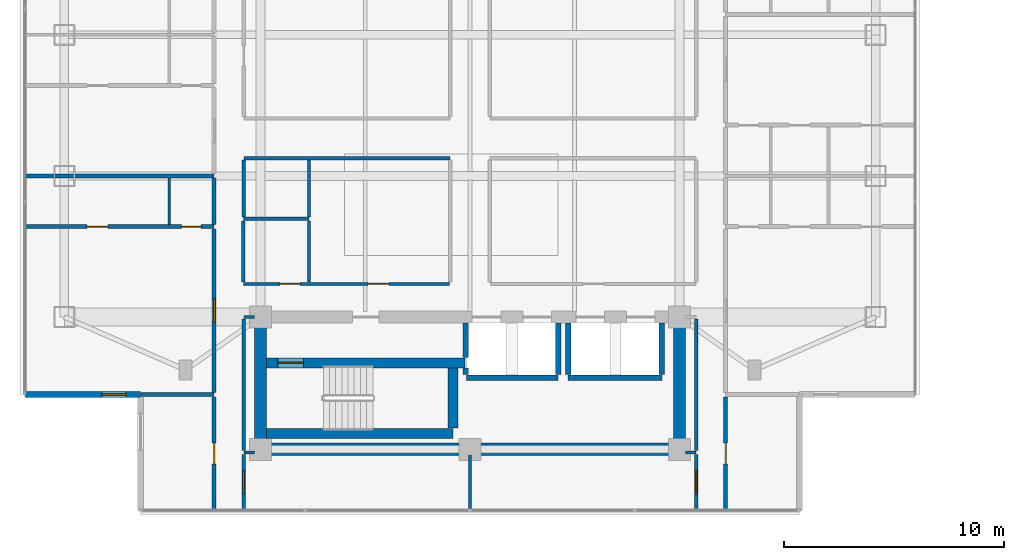
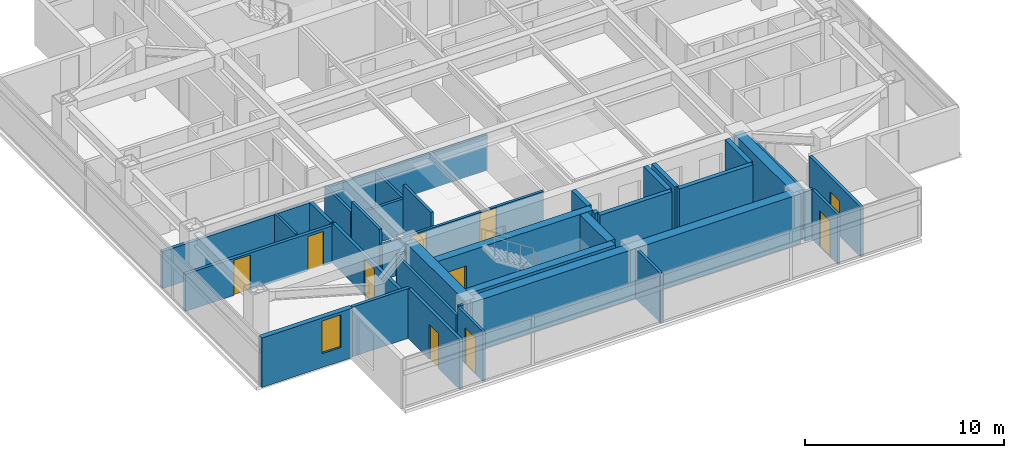
# One storey, part 12 of 24: 37 walls, 10 doors, 1 window, 11 openings.
"""IFC4 building model written with IfcOpenShell, lengths in metres."""

from ifc_helpers import new_model, si_unit, direction, frame, frame_2d, origin, place, context, subcontext, project, spatial, rectangle, extrude, material, layer, layer_set, type_object, element, fill, save


model = new_model("IFC4")

# Units and contexts
model_context = context("Model", 3, precision=1e-05, world=origin(), true_north=direction((0.0, 1.0)))
body_context = subcontext(model_context, "Body", "Model", "MODEL_VIEW")
ifc_project = project(units=[si_unit("LENGTHUNIT", "METRE"), si_unit("AREAUNIT", "SQUARE_METRE"), si_unit("VOLUMEUNIT", "CUBIC_METRE"), si_unit("PLANEANGLEUNIT", "RADIAN"), si_unit("MASSUNIT", "GRAM", prefix="KILO")], contexts=[model_context])

# Site, building, storey
site_placement = place(None, origin())
site = spatial("IfcSite", under=ifc_project, at=site_placement, CompositionType="ELEMENT")
building_placement = place(site_placement, origin())
building = spatial("IfcBuilding", under=site, at=building_placement, Name="Mirazonda Arch Towers", CompositionType="ELEMENT")
storey_placement = place(building_placement, frame((0.0, 0.0, 160.89990234375)))
storey = spatial("IfcBuildingStorey", under=building, at=storey_placement, Name="L45", CompositionType="ELEMENT", Elevation=160.89990234375)

# Wall
ifc_material_1 = material(Name="Concrete C50/60", Category="concrete")
ifc_layer_1 = layer(ifc_material_1, 0.449951171875, Name="WALL-CORE-450")
ifc_layer_set_1 = layer_set([ifc_layer_1], Name="Concrete C50/60")
wall_type_1 = type_object("IfcWallType", Name="WALL-CORE-450", PredefinedType="SHEAR", material=ifc_layer_set_1)
wall_1_placement = place(storey_placement, frame((11.27001953125, 13.1201171875, 0.0), z_axis=(0.0, 0.0, 1.0), x_axis=(1.0, 0.0, 0.0)))
element("IfcWall", 1, at=wall_1_placement, inside=storey, type_object=wall_type_1, Name="L45 Stair Core Shear Wall 003", PredefinedType="SHEAR", context=body_context, shape_type="SweptSolid", body=[
    extrude(rectangle(XDim=8.4599609375, YDim=0.449951171875, at=frame_2d((4.22998046875, 0.0))), origin(), (0.0, 0.0, 1.0), 3.050048828125),
])

# Wall, opening, door
wall_2_placement = place(storey_placement, frame((11.27001953125, 16.320068359375, 0.0), z_axis=(0.0, 0.0, 1.0), x_axis=(1.0, 0.0, 0.0)))
wall_2 = element("IfcWall", 2, at=wall_2_placement, inside=storey, type_object=wall_type_1, Name="L45 Stair Core Shear Wall 008", PredefinedType="SHEAR", context=body_context, shape_type="SweptSolid", body=[
    extrude(rectangle(XDim=9.010009765625, YDim=0.449951171875, at=frame_2d((4.5048828125, 0.0))), origin(), (0.0, 0.0, 1.0), 3.050048828125),
])
opening_1_placement = place(wall_2_placement, frame((0.52001953125, 0.0, 0.0)))
opening_1 = element("IfcOpeningElement", 3, at=opening_1_placement, cuts=wall_2, Name="Opening DR-135", PredefinedType="OPENING", context=body_context, shape_type="SweptSolid", body=[
    extrude(rectangle(XDim=1.14990234375, YDim=2.199951171875, at=frame_2d((0.574951171875, 1.10009765625))), frame((0.0, 0.23486328125, 0.0), z_axis=(0.0, -1.0, 0.0), x_axis=(1.0, 0.0, 0.0)), (0.0, 0.0, 1.0), 0.469970703125),
])
ifc_material_2 = material(Name="Architectural Brushed Steel S355", Category="steel")
door_type_1 = type_object("IfcDoorType", Name="DOOR-STAIR-FD90-1150", OperationType="NOTDEFINED", PredefinedType="DOOR", material=ifc_material_2)
door_1_placement = place(opening_1_placement, origin())
door_1 = element("IfcDoor", 4, at=door_1_placement, inside=storey, type_object=door_type_1, Name="L45 Protected Exit Stair South Door", OperationType="SINGLE_SWING_RIGHT", OverallHeight=2.199951171875, OverallWidth=1.14990234375, PredefinedType="DOOR", context=body_context, shape_type="SweptSolid", body=[
    extrude(rectangle(XDim=1.14990234375, YDim=2.199951171875, at=frame_2d((0.574951171875, 1.10009765625))), frame((0.0, 0.02490234375, 0.0), z_axis=(0.0, -1.0, 0.0), x_axis=(1.0, 0.0, 0.0)), (0.0, 0.0, 1.0), 0.050048828125),
])
fill(opening_1, door_1)

# Walls
wall_3_placement = place(storey_placement, frame((19.72998046875, 13.35498046875, 0.0), z_axis=(0.0, 0.0, 1.0), x_axis=(0.0, 1.0, 0.0)))
element("IfcWall", 5, at=wall_3_placement, inside=storey, type_object=wall_type_1, Name="L45 Stair Core Shear Wall 088", PredefinedType="SHEAR", context=body_context, shape_type="SweptSolid", body=[
    extrude(rectangle(XDim=2.72998046875, YDim=0.449951171875, at=frame_2d((1.364990234375, 0.0))), origin(), (0.0, 0.0, 1.0), 3.050048828125),
])
ifc_layer_2 = layer(ifc_material_1, 0.550048828125, Name="WALL-CORE-550")
ifc_layer_set_2 = layer_set([ifc_layer_2], Name="Concrete C50/60")
wall_type_2 = type_object("IfcWallType", Name="WALL-CORE-550", PredefinedType="SHEAR", material=ifc_layer_set_2)
wall_4_placement = place(storey_placement, frame((11.0, 12.39990234375, 0.0), z_axis=(0.0, 0.0, 1.0), x_axis=(1.0, 0.0, 0.0)))
element("IfcWall", 6, at=wall_4_placement, inside=storey, type_object=wall_type_2, Name="L45 T1S-S Core Shear Wall", PredefinedType="SHEAR", context=body_context, shape_type="SweptSolid", body=[
    extrude(rectangle(XDim=19.0, YDim=0.550048828125, at=frame_2d((9.5, 0.0))), origin(), (0.0, 0.0, 1.0), 3.050048828125),
])
for number, where, z_axis, x_axis, name in (
    (7, (11.0, 12.39990234375, 0.0), (0.0, 0.0, 1.0), (0.0, 1.0, 0.0), "L45 T1S-W Core Shear Wall"),
    (8, (30.0, 12.39990234375, 0.0), (0.0, 0.0, 1.0), (0.0, 1.0, 0.0), "L45 T1S-E Core Shear Wall"),
):
    element("IfcWall", number, at=place(storey_placement, frame(where, z_axis=z_axis, x_axis=x_axis)), inside=storey, type_object=wall_type_2, Name=name, PredefinedType="SHEAR", context=body_context, shape_type="SweptSolid", body=[
        extrude(rectangle(XDim=6.0, YDim=0.550048828125, at=frame_2d((3.0, 0.0))), origin(), (0.0, 0.0, 1.0), 3.050048828125),
    ])

# Wall, opening, window
ifc_material_3 = material(Name="Precast Concrete C40/50", Category="concrete")
ifc_layer_3 = layer(ifc_material_3, 0.280029296875, Name="WALL-EXT-WALL-280")
ifc_layer_set_3 = layer_set([ifc_layer_3], Name="Precast Concrete C40/50")
wall_type_3 = type_object("IfcWallType", Name="WALL-EXT-WALL-280", PredefinedType="SOLIDWALL", material=ifc_layer_set_3)
wall_5_placement = place(storey_placement, frame((0.31005859375, 14.87890625, 0.0), z_axis=(0.0, 0.0, 1.0), x_axis=(1.0, 0.0, 0.0)))
wall_5 = element("IfcWall", 9, at=wall_5_placement, inside=storey, type_object=wall_type_3, Name="L45 T1 Corner Notch Return Wall WL-L45-T1-CSW2", PredefinedType="SOLIDWALL", context=body_context, shape_type="SweptSolid", body=[
    extrude(rectangle(XDim=5.244873046875, YDim=0.280029296875, at=frame_2d((2.62255859375, 0.0))), origin(), (0.0, 0.0, 1.0), 3.030029296875),
])
opening_2_placement = place(wall_5_placement, frame((3.4951171875, 0.0, 0.85009765625)))
opening_2 = element("IfcOpeningElement", 10, at=opening_2_placement, cuts=wall_5, Name="Opening WN-108", PredefinedType="OPENING", context=body_context, shape_type="SweptSolid", body=[
    extrude(rectangle(XDim=1.10009765625, YDim=2.0, at=frame_2d((0.550048828125, 1.0))), frame((0.0, 0.14990234375, 0.0), z_axis=(0.0, -1.0, 0.0), x_axis=(1.0, 0.0, 0.0)), (0.0, 0.0, 1.0), 0.300048828125),
])
ifc_material_4 = material(Name="Insulated Low-E Solar Glass", Category="glass")
window_type = type_object("IfcWindowType", Name="WIN-NOTCH-1100x2000", PartitioningType="SINGLE_PANEL", PredefinedType="WINDOW", material=ifc_material_4)
window_placement = place(opening_2_placement, origin())
window = element("IfcWindow", 11, at=window_placement, inside=storey, type_object=window_type, Name="L45 Punched Facade Window WN-L45-T1-CSW2", OverallHeight=2.0, OverallWidth=1.10009765625, PartitioningType="SINGLE_PANEL", PredefinedType="WINDOW", context=body_context, shape_type="SweptSolid", body=[
    extrude(rectangle(XDim=1.10009765625, YDim=2.0, at=frame_2d((0.550048828125, 1.0))), frame((0.0, 0.030029296875, 0.0), z_axis=(0.0, -1.0, 0.0), x_axis=(1.0, 0.0, 0.0)), (0.0, 0.0, 1.0), 0.06005859375),
])
fill(opening_2, window)

# Walls
ifc_material_5 = material(Name="Fire-Rated Gypsum Stud Partition")
ifc_layer_4 = layer(ifc_material_5, 0.14990234375, Name="WALL-PART-CORR-150")
ifc_layer_set_4 = layer_set([ifc_layer_4], Name="Fire-Rated Gypsum Stud Partition")
wall_type_4 = type_object("IfcWallType", Name="WALL-PART-CORR-150", PredefinedType="PARTITIONING", material=ifc_layer_set_4)
for number, where, z_axis, x_axis, name in (
    (12, (10.239990234375, 12.25, 0.0), (0.0, 0.0, 1.0), (1.0, 0.0, 0.0), "L45 Interior Partition 001"),
    (13, (30.27001953125, 12.25, 0.0), (0.0, 0.0, 1.0), (1.0, 0.0, 0.0), "L45 Interior Partition 002"),
):
    element("IfcWall", number, at=place(storey_placement, frame(where, z_axis=z_axis, x_axis=x_axis)), inside=storey, type_object=wall_type_4, Name=name, PredefinedType="PARTITIONING", context=body_context, shape_type="SweptSolid", body=[
        extrude(rectangle(XDim=0.489990234375, YDim=0.14990234375, at=frame_2d((0.2451171875, 0.0))), origin(), (0.0, 0.0, 1.0), 3.050048828125),
    ])
wall_6_placement = place(storey_placement, frame((10.239990234375, 18.39990234375, 0.0), z_axis=(0.0, 0.0, 1.0), x_axis=(1.0, 0.0, 0.0)))
element("IfcWall", 14, at=wall_6_placement, inside=storey, type_object=wall_type_4, Name="L45 Interior Partition 012", PredefinedType="PARTITIONING", context=body_context, shape_type="SweptSolid", body=[
    extrude(rectangle(XDim=0.489990234375, YDim=0.14990234375, at=frame_2d((0.2451171875, 0.0))), origin(), (0.0, 0.0, 1.0), 2.442138671875),
])

# Wall, openings, doors
wall_7_placement = place(storey_placement, frame((10.219970703125, 19.89990234375, 0.0), z_axis=(0.0, 0.0, 1.0), x_axis=(1.0, 0.0, 0.0)))
wall_7 = element("IfcWall", 15, at=wall_7_placement, inside=storey, type_object=wall_type_4, Name="L45 Interior Partition 015", PredefinedType="PARTITIONING", context=body_context, shape_type="SweptSolid", body=[
    extrude(rectangle(XDim=9.340087890625, YDim=0.14990234375, at=frame_2d((4.669921875, 0.0))), origin(), (0.0, 0.0, 1.0), 2.18603515625),
])
opening_3_placement = place(wall_7_placement, frame((1.659912109375, 0.0, 0.0)))
opening_3 = element("IfcOpeningElement", 16, at=opening_3_placement, cuts=wall_7, Name="Opening DR-120", PredefinedType="OPENING", context=body_context, shape_type="SweptSolid", body=[
    extrude(rectangle(XDim=0.89990234375, YDim=2.10009765625, at=frame_2d((0.449951171875, 1.050048828125))), frame((0.0, 0.0849609375, 0.0), z_axis=(0.0, -1.0, 0.0), x_axis=(1.0, 0.0, 0.0)), (0.0, 0.0, 1.0), 0.169921875),
])
opening_4_placement = place(wall_7_placement, frame((5.6650390625, 0.0, 0.0)))
opening_4 = element("IfcOpeningElement", 17, at=opening_4_placement, cuts=wall_7, Name="Opening DR-104", PredefinedType="OPENING", context=body_context, shape_type="SweptSolid", body=[
    extrude(rectangle(XDim=0.949951171875, YDim=2.14990234375, at=frame_2d((0.47509765625, 1.074951171875))), frame((0.0, 0.0849609375, 0.0), z_axis=(0.0, -1.0, 0.0), x_axis=(1.0, 0.0, 0.0)), (0.0, 0.0, 1.0), 0.169921875),
])
door_type_2 = type_object("IfcDoorType", Name="DOOR-ROOM-950", OperationType="NOTDEFINED", PredefinedType="DOOR", material=ifc_material_2)
door_2_placement = place(opening_4_placement, origin())
door_2 = element("IfcDoor", 18, at=door_2_placement, inside=storey, type_object=door_type_2, Name="L45 L45 West Courtyard Study Door", OperationType="SINGLE_SWING_LEFT", OverallHeight=2.14990234375, OverallWidth=0.949951171875, PredefinedType="DOOR", context=body_context, shape_type="SweptSolid", body=[
    extrude(rectangle(XDim=0.949951171875, YDim=2.14990234375, at=frame_2d((0.47509765625, 1.074951171875))), frame((0.0, 0.02490234375, 0.0), z_axis=(0.0, -1.0, 0.0), x_axis=(1.0, 0.0, 0.0)), (0.0, 0.0, 1.0), 0.050048828125),
])
fill(opening_4, door_2)
door_type_3 = type_object("IfcDoorType", Name="DOOR-WC-900", OperationType="NOTDEFINED", PredefinedType="DOOR", material=ifc_material_2)
door_3_placement = place(opening_3_placement, origin())
door_3 = element("IfcDoor", 19, at=door_3_placement, inside=storey, type_object=door_type_3, Name="L45 Common Accessible WC Door", OperationType="SINGLE_SWING_LEFT", OverallHeight=2.10009765625, OverallWidth=0.89990234375, PredefinedType="DOOR", context=body_context, shape_type="SweptSolid", body=[
    extrude(rectangle(XDim=0.89990234375, YDim=2.10009765625, at=frame_2d((0.449951171875, 1.050048828125))), frame((0.0, 0.02490234375, 0.0), z_axis=(0.0, -1.0, 0.0), x_axis=(1.0, 0.0, 0.0)), (0.0, 0.0, 1.0), 0.050048828125),
])
fill(opening_3, door_3)

# Walls
wall_8_placement = place(storey_placement, frame((10.219970703125, 22.85009765625, 0.0), z_axis=(0.0, 0.0, 1.0), x_axis=(1.0, 0.0, 0.0)))
element("IfcWall", 20, at=wall_8_placement, inside=storey, type_object=wall_type_4, Name="L45 Interior Partition 024", PredefinedType="PARTITIONING", context=body_context, shape_type="SweptSolid", body=[
    extrude(rectangle(XDim=2.97998046875, YDim=0.14990234375, at=frame_2d((1.489990234375, 0.0))), origin(), (0.0, 0.0, 1.0), 2.18603515625),
])
wall_9_placement = place(storey_placement, frame((10.239990234375, 25.60009765625, 0.0), z_axis=(0.0, 0.0, 1.0), x_axis=(1.0, 0.0, 0.0)))
element("IfcWall", 21, at=wall_9_placement, inside=storey, type_object=wall_type_4, Name="L45 Interior Partition 029", PredefinedType="PARTITIONING", context=body_context, shape_type="SweptSolid", body=[
    extrude(rectangle(XDim=9.360107421875, YDim=0.14990234375, at=frame_2d((4.68017578125, 0.0))), origin(), (0.0, 0.0, 1.0), 2.18603515625),
])
wall_10_placement = place(storey_placement, frame((10.219970703125, 19.985107421875, 0.0), z_axis=(0.0, 0.0, 1.0), x_axis=(0.0, 1.0, 0.0)))
element("IfcWall", 22, at=wall_10_placement, inside=storey, type_object=wall_type_4, Name="L45 Interior Partition 075", PredefinedType="PARTITIONING", context=body_context, shape_type="SweptSolid", body=[
    extrude(rectangle(XDim=2.77978515625, YDim=0.14990234375, at=frame_2d((1.389892578125, 0.0))), origin(), (0.0, 0.0, 1.0), 3.050048828125),
])

# Wall, opening, door
wall_11_placement = place(storey_placement, frame((10.239990234375, 9.634033203125, 0.0), z_axis=(0.0, 0.0, 1.0), x_axis=(0.0, 1.0, 0.0)))
wall_11 = element("IfcWall", 23, at=wall_11_placement, inside=storey, type_object=wall_type_4, Name="L45 Interior Partition 076", PredefinedType="PARTITIONING", context=body_context, shape_type="SweptSolid", body=[
    extrude(rectangle(XDim=2.531005859375, YDim=0.14990234375, at=frame_2d((1.265625, 0.0))), origin(), (0.0, 0.0, 1.0), 3.050048828125),
])
opening_5_placement = place(wall_11_placement, frame((0.740478515625, 0.0, 0.0)))
opening_5 = element("IfcOpeningElement", 24, at=opening_5_placement, cuts=wall_11, Name="Opening DR-121", PredefinedType="OPENING", context=body_context, shape_type="SweptSolid", body=[
    extrude(rectangle(XDim=1.050048828125, YDim=2.199951171875, at=frame_2d((0.52490234375, 1.10009765625))), frame((0.0, 0.0849609375, 0.0), z_axis=(0.0, -1.0, 0.0), x_axis=(1.0, 0.0, 0.0)), (0.0, 0.0, 1.0), 0.169921875),
])
door_type_4 = type_object("IfcDoorType", Name="DOOR-SUITE-FD60-1050", OperationType="NOTDEFINED", PredefinedType="DOOR", material=ifc_material_2)
door_4_placement = place(opening_5_placement, origin())
door_4 = element("IfcDoor", 25, at=door_4_placement, inside=storey, type_object=door_type_4, Name="L45 South Panoramic Study West Door", OperationType="SINGLE_SWING_LEFT", OverallHeight=2.199951171875, OverallWidth=1.050048828125, PredefinedType="DOOR", context=body_context, shape_type="SweptSolid", body=[
    extrude(rectangle(XDim=1.050048828125, YDim=2.199951171875, at=frame_2d((0.52490234375, 1.10009765625))), frame((0.0, 0.02490234375, 0.0), z_axis=(0.0, -1.0, 0.0), x_axis=(1.0, 0.0, 0.0)), (0.0, 0.0, 1.0), 0.050048828125),
])
fill(opening_5, door_4)

# Walls
wall_12_placement = place(storey_placement, frame((10.239990234375, 12.3349609375, 0.0), z_axis=(0.0, 0.0, 1.0), x_axis=(0.0, 1.0, 0.0)))
element("IfcWall", 26, at=wall_12_placement, inside=storey, type_object=wall_type_4, Name="L45 Interior Partition 077", PredefinedType="PARTITIONING", context=body_context, shape_type="SweptSolid", body=[
    extrude(rectangle(XDim=5.97998046875, YDim=0.14990234375, at=frame_2d((2.989990234375, 0.0))), origin(), (0.0, 0.0, 1.0), 2.442138671875),
])
wall_13_placement = place(storey_placement, frame((10.239990234375, 22.93505859375, 0.0), z_axis=(0.0, 0.0, 1.0), x_axis=(0.0, 1.0, 0.0)))
element("IfcWall", 27, at=wall_13_placement, inside=storey, type_object=wall_type_4, Name="L45 Interior Partition 078", PredefinedType="PARTITIONING", context=body_context, shape_type="SweptSolid", body=[
    extrude(rectangle(XDim=2.579833984375, YDim=0.14990234375, at=frame_2d((1.2900390625, 0.0))), origin(), (0.0, 0.0, 1.0), 2.34619140625),
])
wall_14_placement = place(storey_placement, frame((13.199951171875, 19.985107421875, 0.0), z_axis=(0.0, 0.0, 1.0), x_axis=(0.0, 1.0, 0.0)))
element("IfcWall", 28, at=wall_14_placement, inside=storey, type_object=wall_type_4, Name="L45 Interior Partition 083", PredefinedType="PARTITIONING", context=body_context, shape_type="SweptSolid", body=[
    extrude(rectangle(XDim=2.77978515625, YDim=0.14990234375, at=frame_2d((1.389892578125, 0.0))), origin(), (0.0, 0.0, 1.0), 3.050048828125),
])
wall_15_placement = place(storey_placement, frame((13.199951171875, 22.93505859375, 0.0), z_axis=(0.0, 0.0, 1.0), x_axis=(0.0, 1.0, 0.0)))
element("IfcWall", 29, at=wall_15_placement, inside=storey, type_object=wall_type_4, Name="L45 Interior Partition 084", PredefinedType="PARTITIONING", context=body_context, shape_type="SweptSolid", body=[
    extrude(rectangle(XDim=2.579833984375, YDim=0.14990234375, at=frame_2d((1.2900390625, 0.0))), origin(), (0.0, 0.0, 1.0), 2.18603515625),
])
wall_16_placement = place(storey_placement, frame((20.5, 9.634033203125, 0.0), z_axis=(0.0, 0.0, 1.0), x_axis=(0.0, 1.0, 0.0)))
element("IfcWall", 30, at=wall_16_placement, inside=storey, type_object=wall_type_4, Name="L45 Interior Partition 093", PredefinedType="PARTITIONING", context=body_context, shape_type="SweptSolid", body=[
    extrude(rectangle(XDim=2.495849609375, YDim=0.14990234375, at=frame_2d((1.248046875, 0.0))), origin(), (0.0, 0.0, 1.0), 3.050048828125),
])

# Wall, opening, door
wall_17_placement = place(storey_placement, frame((30.760009765625, 9.634033203125, 0.0), z_axis=(0.0, 0.0, 1.0), x_axis=(0.0, 1.0, 0.0)))
wall_17 = element("IfcWall", 31, at=wall_17_placement, inside=storey, type_object=wall_type_4, Name="L45 Interior Partition 105", PredefinedType="PARTITIONING", context=body_context, shape_type="SweptSolid", body=[
    extrude(rectangle(XDim=2.531005859375, YDim=0.14990234375, at=frame_2d((1.265625, 0.0))), origin(), (0.0, 0.0, 1.0), 3.050048828125),
])
opening_6_placement = place(wall_17_placement, frame((0.740478515625, 0.0, 0.0)))
opening_6 = element("IfcOpeningElement", 32, at=opening_6_placement, cuts=wall_17, Name="Opening DR-121", PredefinedType="OPENING", context=body_context, shape_type="SweptSolid", body=[
    extrude(rectangle(XDim=1.050048828125, YDim=2.199951171875, at=frame_2d((0.52490234375, 1.10009765625))), frame((0.0, 0.0849609375, 0.0), z_axis=(0.0, -1.0, 0.0), x_axis=(1.0, 0.0, 0.0)), (0.0, 0.0, 1.0), 0.169921875),
])
door_5_placement = place(opening_6_placement, origin())
door_5 = element("IfcDoor", 33, at=door_5_placement, inside=storey, type_object=door_type_4, Name="L45 South Panoramic Study East Door", OperationType="SINGLE_SWING_RIGHT", OverallHeight=2.199951171875, OverallWidth=1.050048828125, PredefinedType="DOOR", context=body_context, shape_type="SweptSolid", body=[
    extrude(rectangle(XDim=1.050048828125, YDim=2.199951171875, at=frame_2d((0.52490234375, 1.10009765625))), frame((0.0, 0.02490234375, 0.0), z_axis=(0.0, -1.0, 0.0), x_axis=(1.0, 0.0, 0.0)), (0.0, 0.0, 1.0), 0.050048828125),
])
fill(opening_6, door_5)

# Walls
wall_18_placement = place(storey_placement, frame((30.760009765625, 12.3349609375, 0.0), z_axis=(0.0, 0.0, 1.0), x_axis=(0.0, 1.0, 0.0)))
element("IfcWall", 34, at=wall_18_placement, inside=storey, type_object=wall_type_4, Name="L45 Interior Partition 106", PredefinedType="PARTITIONING", context=body_context, shape_type="SweptSolid", body=[
    extrude(rectangle(XDim=5.97998046875, YDim=0.14990234375, at=frame_2d((2.989990234375, 0.0))), origin(), (0.0, 0.0, 1.0), 2.442138671875),
])
ifc_material_6 = material(Name="Fire-Rated Gypsum Twin-Stud Assembly")
ifc_layer_5 = layer(ifc_material_6, 0.179931640625, Name="WALL-PART-DEMISE-180")
ifc_layer_set_5 = layer_set([ifc_layer_5], Name="Fire-Rated Gypsum Twin-Stud Assembly")
wall_type_5 = type_object("IfcWallType", Name="WALL-PART-DEMISE-180", PredefinedType="PARTITIONING", material=ifc_layer_set_5)
wall_19_placement = place(storey_placement, frame((5.574951171875, 14.87890625, 0.0), z_axis=(0.0, 0.0, 1.0), x_axis=(1.0, 0.0, 0.0)))
element("IfcWall", 35, at=wall_19_placement, inside=storey, type_object=wall_type_5, Name="L45 Interior Partition 004", PredefinedType="PARTITIONING", context=body_context, shape_type="SweptSolid", body=[
    extrude(rectangle(XDim=3.324951171875, YDim=0.179931640625, at=frame_2d((1.66259765625, 0.0))), origin(), (0.0, 0.0, 1.0), 3.050048828125),
])

# Wall, openings, doors
wall_20_placement = place(storey_placement, frame((0.31005859375, 22.5, 0.0), z_axis=(0.0, 0.0, 1.0), x_axis=(1.0, 0.0, 0.0)))
wall_20 = element("IfcWall", 36, at=wall_20_placement, inside=storey, type_object=wall_type_5, Name="L45 Interior Partition 021", PredefinedType="PARTITIONING", context=body_context, shape_type="SweptSolid", body=[
    extrude(rectangle(XDim=8.58984375, YDim=0.179931640625, at=frame_2d((4.294921875, 0.0))), origin(), (0.0, 0.0, 1.0), 2.26904296875),
])
opening_7_placement = place(wall_20_placement, frame((2.820068359375, 0.0, 0.0)))
opening_7 = element("IfcOpeningElement", 37, at=opening_7_placement, cuts=wall_20, Name="Opening DR-104", PredefinedType="OPENING", context=body_context, shape_type="SweptSolid", body=[
    extrude(rectangle(XDim=0.949951171875, YDim=2.14990234375, at=frame_2d((0.47509765625, 1.074951171875))), frame((0.0, 0.099853515625, 0.0), z_axis=(0.0, -1.0, 0.0), x_axis=(1.0, 0.0, 0.0)), (0.0, 0.0, 1.0), 0.199951171875),
])
opening_8_placement = place(wall_20_placement, frame((7.10009765625, 0.0, 0.0)))
opening_8 = element("IfcOpeningElement", 38, at=opening_8_placement, cuts=wall_20, Name="Opening DR-120", PredefinedType="OPENING", context=body_context, shape_type="SweptSolid", body=[
    extrude(rectangle(XDim=0.89990234375, YDim=2.10009765625, at=frame_2d((0.449951171875, 1.050048828125))), frame((0.0, 0.099853515625, 0.0), z_axis=(0.0, -1.0, 0.0), x_axis=(1.0, 0.0, 0.0)), (0.0, 0.0, 1.0), 0.199951171875),
])
door_6_placement = place(opening_7_placement, origin())
door_6 = element("IfcDoor", 39, at=door_6_placement, inside=storey, type_object=door_type_2, Name="L45 Studio 1 Galley Kitchen Door", OperationType="SINGLE_SWING_LEFT", OverallHeight=2.14990234375, OverallWidth=0.949951171875, PredefinedType="DOOR", context=body_context, shape_type="SweptSolid", body=[
    extrude(rectangle(XDim=0.949951171875, YDim=2.14990234375, at=frame_2d((0.47509765625, 1.074951171875))), frame((0.0, 0.02490234375, 0.0), z_axis=(0.0, -1.0, 0.0), x_axis=(1.0, 0.0, 0.0)), (0.0, 0.0, 1.0), 0.050048828125),
])
fill(opening_7, door_6)
door_7_placement = place(opening_8_placement, origin())
door_7 = element("IfcDoor", 40, at=door_7_placement, inside=storey, type_object=door_type_3, Name="L45 Studio 1 Bathroom Door", OperationType="SINGLE_SWING_RIGHT", OverallHeight=2.10009765625, OverallWidth=0.89990234375, PredefinedType="DOOR", context=body_context, shape_type="SweptSolid", body=[
    extrude(rectangle(XDim=0.89990234375, YDim=2.10009765625, at=frame_2d((0.449951171875, 1.050048828125))), frame((0.0, 0.02490234375, 0.0), z_axis=(0.0, -1.0, 0.0), x_axis=(1.0, 0.0, 0.0)), (0.0, 0.0, 1.0), 0.050048828125),
])
fill(opening_8, door_7)

# Wall
wall_21_placement = place(storey_placement, frame((0.31005859375, 24.800048828125, 0.0), z_axis=(0.0, 0.0, 1.0), x_axis=(1.0, 0.0, 0.0)))
element("IfcWall", 41, at=wall_21_placement, inside=storey, type_object=wall_type_5, Name="L45 Interior Partition 026", PredefinedType="PARTITIONING", context=body_context, shape_type="SweptSolid", body=[
    extrude(rectangle(XDim=8.58984375, YDim=0.179931640625, at=frame_2d((4.294921875, 0.0))), origin(), (0.0, 0.0, 1.0), 2.26904296875),
])

# Wall, opening, door
wall_22_placement = place(storey_placement, frame((8.89990234375, 9.634033203125, 0.0), z_axis=(0.0, 0.0, 1.0), x_axis=(0.0, 1.0, 0.0)))
wall_22 = element("IfcWall", 42, at=wall_22_placement, inside=storey, type_object=wall_type_5, Name="L45 Interior Partition 067", PredefinedType="PARTITIONING", context=body_context, shape_type="SweptSolid", body=[
    extrude(rectangle(XDim=5.14501953125, YDim=0.179931640625, at=frame_2d((2.572509765625, 0.0))), origin(), (0.0, 0.0, 1.0), 3.050048828125),
])
opening_9_placement = place(wall_22_placement, frame((2.097412109375, 0.0, 0.0)))
opening_9 = element("IfcOpeningElement", 43, at=opening_9_placement, cuts=wall_22, Name="Opening DR-104", PredefinedType="OPENING", context=body_context, shape_type="SweptSolid", body=[
    extrude(rectangle(XDim=0.949951171875, YDim=2.14990234375, at=frame_2d((0.47509765625, 1.074951171875))), frame((0.0, 0.099853515625, 0.0), z_axis=(0.0, -1.0, 0.0), x_axis=(1.0, 0.0, 0.0)), (0.0, 0.0, 1.0), 0.199951171875),
])
door_8_placement = place(opening_9_placement, origin())
door_8 = element("IfcDoor", 44, at=door_8_placement, inside=storey, type_object=door_type_2, Name="L45 South Panoramic Study Alcove West Door", OperationType="SINGLE_SWING_LEFT", OverallHeight=2.14990234375, OverallWidth=0.949951171875, PredefinedType="DOOR", context=body_context, shape_type="SweptSolid", body=[
    extrude(rectangle(XDim=0.949951171875, YDim=2.14990234375, at=frame_2d((0.47509765625, 1.074951171875))), frame((0.0, 0.02490234375, 0.0), z_axis=(0.0, -1.0, 0.0), x_axis=(1.0, 0.0, 0.0)), (0.0, 0.0, 1.0), 0.050048828125),
])
fill(opening_9, door_8)

wall_23_placement = place(storey_placement, frame((8.89990234375, 14.97900390625, 0.0), z_axis=(0.0, 0.0, 1.0), x_axis=(0.0, 1.0, 0.0)))
wall_23 = element("IfcWall", 45, at=wall_23_placement, inside=storey, type_object=wall_type_5, Name="L45 Interior Partition 068", PredefinedType="PARTITIONING", context=body_context, shape_type="SweptSolid", body=[
    extrude(rectangle(XDim=7.4208984375, YDim=0.179931640625, at=frame_2d((3.71044921875, 0.0))), origin(), (0.0, 0.0, 1.0), 2.442138671875),
])
opening_10_placement = place(wall_23_placement, frame((3.185546875, 0.0, 0.0)))
opening_10 = element("IfcOpeningElement", 46, at=opening_10_placement, cuts=wall_23, Name="Opening DR-121", PredefinedType="OPENING", context=body_context, shape_type="SweptSolid", body=[
    extrude(rectangle(XDim=1.050048828125, YDim=2.199951171875, at=frame_2d((0.52490234375, 1.10009765625))), frame((0.0, 0.099853515625, 0.0), z_axis=(0.0, -1.0, 0.0), x_axis=(1.0, 0.0, 0.0)), (0.0, 0.0, 1.0), 0.199951171875),
])
door_9_placement = place(opening_10_placement, origin())
door_9 = element("IfcDoor", 47, at=door_9_placement, inside=storey, type_object=door_type_4, Name="L45 Studio Apartment 1 Living Salon Door", OperationType="SINGLE_SWING_RIGHT", OverallHeight=2.199951171875, OverallWidth=1.050048828125, PredefinedType="DOOR", context=body_context, shape_type="SweptSolid", body=[
    extrude(rectangle(XDim=1.050048828125, YDim=2.199951171875, at=frame_2d((0.52490234375, 1.10009765625))), frame((0.0, 0.02490234375, 0.0), z_axis=(0.0, -1.0, 0.0), x_axis=(1.0, 0.0, 0.0)), (0.0, 0.0, 1.0), 0.050048828125),
])
fill(opening_10, door_9)

# Wall
wall_24_placement = place(storey_placement, frame((8.89990234375, 22.60009765625, 0.0), z_axis=(0.0, 0.0, 1.0), x_axis=(0.0, 1.0, 0.0)))
element("IfcWall", 48, at=wall_24_placement, inside=storey, type_object=wall_type_5, Name="L45 Interior Partition 069", PredefinedType="PARTITIONING", context=body_context, shape_type="SweptSolid", body=[
    extrude(rectangle(XDim=2.099853515625, YDim=0.179931640625, at=frame_2d((1.0498046875, 0.0))), origin(), (0.0, 0.0, 1.0), 2.34619140625),
])

# Wall, opening, door
wall_25_placement = place(storey_placement, frame((32.10009765625, 9.634033203125, 0.0), z_axis=(0.0, 0.0, 1.0), x_axis=(0.0, 1.0, 0.0)))
wall_25 = element("IfcWall", 49, at=wall_25_placement, inside=storey, type_object=wall_type_5, Name="L45 Interior Partition 111", PredefinedType="PARTITIONING", context=body_context, shape_type="SweptSolid", body=[
    extrude(rectangle(XDim=5.14501953125, YDim=0.179931640625, at=frame_2d((2.572509765625, 0.0))), origin(), (0.0, 0.0, 1.0), 3.050048828125),
])
opening_11_placement = place(wall_25_placement, frame((2.097412109375, 0.0, 0.0)))
opening_11 = element("IfcOpeningElement", 50, at=opening_11_placement, cuts=wall_25, Name="Opening DR-104", PredefinedType="OPENING", context=body_context, shape_type="SweptSolid", body=[
    extrude(rectangle(XDim=0.949951171875, YDim=2.14990234375, at=frame_2d((0.47509765625, 1.074951171875))), frame((0.0, 0.099853515625, 0.0), z_axis=(0.0, -1.0, 0.0), x_axis=(1.0, 0.0, 0.0)), (0.0, 0.0, 1.0), 0.199951171875),
])
door_10_placement = place(opening_11_placement, origin())
door_10 = element("IfcDoor", 51, at=door_10_placement, inside=storey, type_object=door_type_2, Name="L45 South Panoramic Study Alcove East Door", OperationType="SINGLE_SWING_RIGHT", OverallHeight=2.14990234375, OverallWidth=0.949951171875, PredefinedType="DOOR", context=body_context, shape_type="SweptSolid", body=[
    extrude(rectangle(XDim=0.949951171875, YDim=2.14990234375, at=frame_2d((0.47509765625, 1.074951171875))), frame((0.0, 0.02490234375, 0.0), z_axis=(0.0, -1.0, 0.0), x_axis=(1.0, 0.0, 0.0)), (0.0, 0.0, 1.0), 0.050048828125),
])
fill(opening_11, door_10)

# Walls
ifc_material_7 = material(Name="Acoustic Fire-Rated Gypsum Partition")
ifc_layer_6 = layer(ifc_material_7, 0.125, Name="WALL-PART-UNIT-125")
ifc_layer_set_6 = layer_set([ifc_layer_6], Name="Acoustic Fire-Rated Gypsum Partition")
wall_type_6 = type_object("IfcWallType", Name="WALL-PART-UNIT-125", PredefinedType="PARTITIONING", material=ifc_layer_set_6)
wall_26_placement = place(storey_placement, frame((6.860107421875, 22.60009765625, 0.0), z_axis=(0.0, 0.0, 1.0), x_axis=(0.0, 1.0, 0.0)))
element("IfcWall", 52, at=wall_26_placement, inside=storey, type_object=wall_type_6, Name="L45 Interior Partition 064", PredefinedType="PARTITIONING", context=body_context, shape_type="SweptSolid", body=[
    extrude(rectangle(XDim=2.099853515625, YDim=0.125, at=frame_2d((1.0498046875, 0.0))), origin(), (0.0, 0.0, 1.0), 2.34619140625),
])
ifc_material_8 = material(Name="Concrete C40/50", Category="concrete")
ifc_layer_7 = layer(ifc_material_8, 0.25, Name="WALL-SHAFT-250")
ifc_layer_set_7 = layer_set([ifc_layer_7], Name="Concrete C40/50")
wall_type_7 = type_object("IfcWallType", Name="WALL-SHAFT-250", PredefinedType="SOLIDWALL", material=ifc_layer_set_7)
wall_27_placement = place(storey_placement, frame((20.35009765625, 15.64990234375, 0.0), z_axis=(0.0, 0.0, 1.0), x_axis=(1.0, 0.0, 0.0)))
element("IfcWall", 53, at=wall_27_placement, inside=storey, type_object=wall_type_7, Name="L45 Interior Partition 006", PredefinedType="SOLIDWALL", context=body_context, shape_type="SweptSolid", body=[
    extrude(rectangle(XDim=4.14990234375, YDim=0.25, at=frame_2d((2.074951171875, 0.0))), origin(), (0.0, 0.0, 1.0), 3.050048828125),
])
wall_28_placement = place(storey_placement, frame((24.949951171875, 15.64990234375, 0.0), z_axis=(0.0, 0.0, 1.0), x_axis=(1.0, 0.0, 0.0)))
element("IfcWall", 54, at=wall_28_placement, inside=storey, type_object=wall_type_7, Name="L45 Interior Partition 007", PredefinedType="SOLIDWALL", context=body_context, shape_type="SweptSolid", body=[
    extrude(rectangle(XDim=4.25, YDim=0.25, at=frame_2d((2.125, 0.0))), origin(), (0.0, 0.0, 1.0), 3.050048828125),
])
wall_29_placement = place(storey_placement, frame((20.31494140625, 15.784912109375, 0.0), z_axis=(0.0, 0.0, 1.0), x_axis=(0.0, 1.0, 0.0)))
element("IfcWall", 55, at=wall_29_placement, inside=storey, type_object=wall_type_7, Name="L45 Interior Partition 090", PredefinedType="SOLIDWALL", context=body_context, shape_type="SweptSolid", body=[
    extrude(rectangle(XDim=0.300048828125, YDim=0.25, at=frame_2d((0.14990234375, 0.0))), origin(), (0.0, 0.0, 1.0), 3.050048828125),
])
wall_30_placement = place(storey_placement, frame((20.31494140625, 16.554931640625, 0.0), z_axis=(0.0, 0.0, 1.0), x_axis=(0.0, 1.0, 0.0)))
element("IfcWall", 56, at=wall_30_placement, inside=storey, type_object=wall_type_7, Name="L45 Interior Partition 091", PredefinedType="SOLIDWALL", context=body_context, shape_type="SweptSolid", body=[
    extrude(rectangle(XDim=1.574951171875, YDim=0.25, at=frame_2d((0.78759765625, 0.0))), origin(), (0.0, 0.0, 1.0), 3.050048828125),
])
for number, where, z_axis, x_axis, name in (
    (57, (24.5, 15.784912109375, 0.0), (0.0, 0.0, 1.0), (0.0, 1.0, 0.0), "L45 Interior Partition 097"),
    (58, (24.949951171875, 15.784912109375, 0.0), (0.0, 0.0, 1.0), (0.0, 1.0, 0.0), "L45 Interior Partition 099"),
    (59, (29.199951171875, 15.784912109375, 0.0), (0.0, 0.0, 1.0), (0.0, 1.0, 0.0), "L45 Interior Partition 102"),
):
    element("IfcWall", number, at=place(storey_placement, frame(where, z_axis=z_axis, x_axis=x_axis)), inside=storey, type_object=wall_type_7, Name=name, PredefinedType="SOLIDWALL", context=body_context, shape_type="SweptSolid", body=[
        extrude(rectangle(XDim=2.344970703125, YDim=0.25, at=frame_2d((1.17236328125, 0.0))), origin(), (0.0, 0.0, 1.0), 3.050048828125),
    ])

save(model, "model.ifc")
